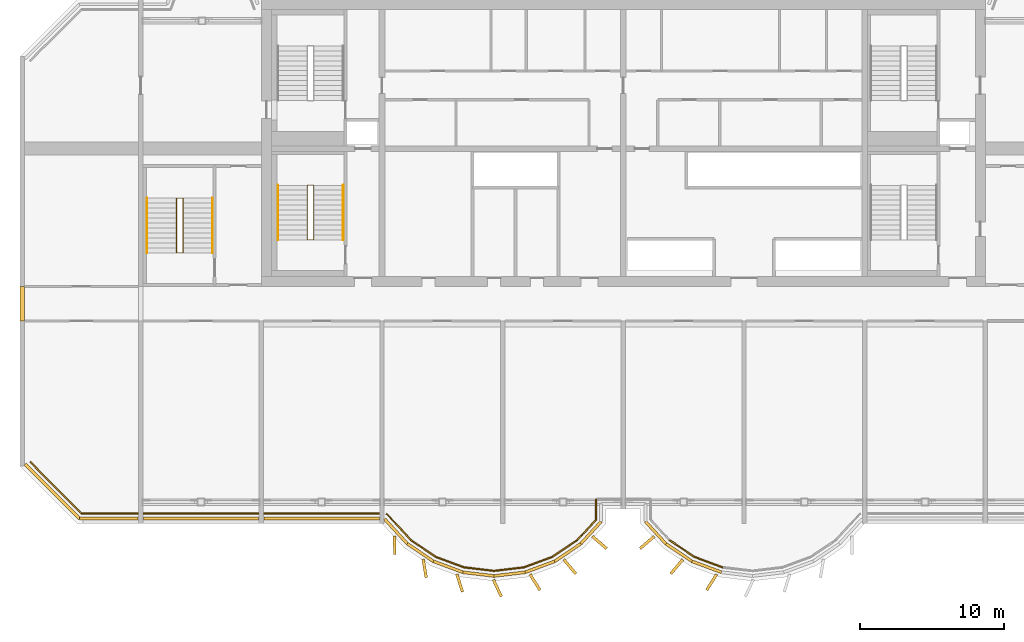
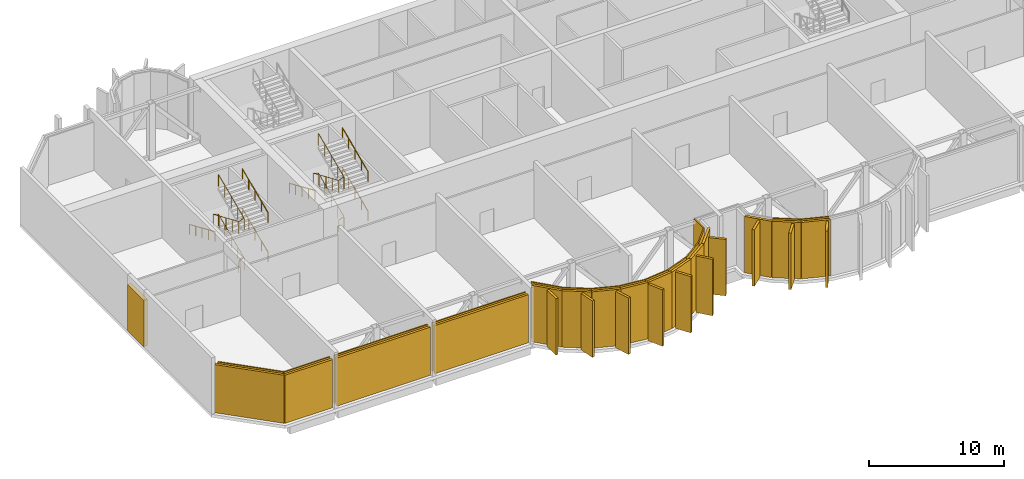
# One storey, part 12 of 15: 25 coverings, 16 shading devices, 8 railings.
"""IFC4 building model written with IfcOpenShell, lengths in metres."""

from ifc_helpers import new_model, si_unit, direction, frame, origin, origin_2d, place, context, subcontext, project, spatial, rectangle, circle, extrude, source, transform, mapped, material, layer, layer_set, material_profile, profile_set, type_object, element, save


model = new_model("IFC4")

# Units and contexts
model_context = context("Model", 3, precision=1e-05, world=origin(), true_north=direction((0.0, 1.0)))
body_context = subcontext(model_context, "Body", "Model", "MODEL_VIEW")
ifc_project = project(units=[si_unit("LENGTHUNIT", "METRE"), si_unit("AREAUNIT", "SQUARE_METRE"), si_unit("VOLUMEUNIT", "CUBIC_METRE"), si_unit("PLANEANGLEUNIT", "RADIAN"), si_unit("MASSUNIT", "GRAM", prefix="KILO")], contexts=[model_context])

# Site, building, storey
site_placement = place(None, origin())
site = spatial("IfcSite", under=ifc_project, at=site_placement, CompositionType="ELEMENT")
building_placement = place(site_placement, origin())
building = spatial("IfcBuilding", under=site, at=building_placement, Name="Vanashikhar Sky Hotel", CompositionType="ELEMENT")
storey_placement = place(building_placement, frame((0.0, 0.0, 201.0)))
storey = spatial("IfcBuildingStorey", under=building, at=storey_placement, Name="L49", CompositionType="ELEMENT", Elevation=201.0)

# Shading devices
ifc_material_1 = material(Name="Aluminium", Category="aluminium")
ifc_layer_1 = layer(ifc_material_1, 0.199951171875)
ifc_layer_set_1 = layer_set([ifc_layer_1], Name="Aluminium louvre band")
shading_device_type = type_object("IfcShadingDeviceType", Name="Aluminium louvre band", PredefinedType="USERDEFINED", material=ifc_layer_set_1)
shared_shape_1 = source(origin(), body_context, "Body", "SweptSolid", [
    extrude(rectangle(XDim=2.1875, YDim=0.199951171875, at=origin_2d()), origin(), (0.0, 0.0, 1.0), 5.1201171875),
])
for number, where, z_axis, x_axis, name in (
    (1, (36.2705078125, 3.482421875, 0.0), (0.0, 0.0, 1.0), (0.829583722896, -0.558382348132, 0.0), "Louvre band"),
    (2, (38.203125, 2.4912109375, 0.0), (0.0, 0.0, 1.0), (0.937537254303, -0.347884890149, 0.0), "Louvre band"),
    (3, (44.5966796875, 2.4912109375, 0.0), (0.0, 0.0, 1.0), (0.937537254303, 0.347884890149, 0.0), "Louvre band"),
    (4, (46.529541015625, 3.482421875, 0.0), (0.0, 0.0, 1.0), (0.829583722896, 0.558382348132, 0.0), "Louvre band"),
    (5, (54.2705078125, 3.482421875, 0.0), (0.0, 0.0, 1.0), (0.829583722896, -0.558382348132, 0.0), "Louvre band"),
    (6, (56.203125, 2.4912109375, 0.0), (0.0, 0.0, 1.0), (0.937537254303, -0.347884890149, 0.0), "Louvre band"),
):
    element("IfcShadingDevice", number, at=place(storey_placement, frame(where, z_axis=z_axis, x_axis=x_axis)), inside=storey, type_object=shading_device_type, Name=name, ObjectType="LOUVRE", PredefinedType="USERDEFINED", context=body_context, shape_type="MappedRepresentation", body=[
        mapped(shared_shape_1, transform((0.0, 0.0, 0.0), scale=1.0)),
    ])
shared_shape_2 = source(origin(), body_context, "Body", "SweptSolid", [
    extrude(rectangle(XDim=2.1865234375, YDim=0.199951171875, at=origin_2d()), origin(), (0.0, 0.0, 1.0), 5.1201171875),
])
for number, where, z_axis, x_axis, name in (
    (7, (40.314453125, 1.9814453125, 0.0), (0.0, 0.0, 1.0), (0.993008838731, -0.118040019495, 0.0), "Louvre band"),
    (8, (42.485595703125, 1.9814453125, 0.0), (0.0, 0.0, 1.0), (0.993008838731, 0.118040019495, 0.0), "Louvre band"),
):
    element("IfcShadingDevice", number, at=place(storey_placement, frame(where, z_axis=z_axis, x_axis=x_axis)), inside=storey, type_object=shading_device_type, Name=name, ObjectType="LOUVRE", PredefinedType="USERDEFINED", context=body_context, shape_type="MappedRepresentation", body=[
        mapped(shared_shape_2, transform((0.0, 0.0, 0.0), scale=1.0)),
    ])
shared_shape_3 = source(origin(), body_context, "Body", "SweptSolid", [
    extrude(rectangle(XDim=2.09228515625, YDim=0.199951171875, at=origin_2d()), origin(), (0.0, 0.0, 1.0), 5.1201171875),
])
for number, where, z_axis, x_axis, name in (
    (9, (48.1435546875, 4.864501953125, 0.0), (0.0, 0.0, 1.0), (0.675384294604, 0.737465968437, 0.0), "Louvre band"),
    (10, (52.656494140625, 4.864501953125, 0.0), (0.0, 0.0, 1.0), (0.675384294604, -0.737465968437, 0.0), "Louvre band"),
):
    element("IfcShadingDevice", number, at=place(storey_placement, frame(where, z_axis=z_axis, x_axis=x_axis)), inside=storey, type_object=shading_device_type, Name=name, ObjectType="LOUVRE", PredefinedType="USERDEFINED", context=body_context, shape_type="MappedRepresentation", body=[
        mapped(shared_shape_3, transform((0.0, 0.0, 0.0), scale=1.0)),
    ])

# Coverings
ifc_material_2 = material(Name="Concrete M40", Category="concrete")
ifc_layer_2 = layer(ifc_material_2, 0.10009765625)
ifc_layer_set_2 = layer_set([ifc_layer_2], Name="Plant floor cladding panel")
covering_type_1 = type_object("IfcCoveringType", Name="Plant floor cladding panel", PredefinedType="CLADDING", material=ifc_layer_set_2)
shared_shape_4 = source(origin(), body_context, "Body", "SweptSolid", [
    extrude(rectangle(XDim=2.49462890625, YDim=0.10009765625, at=origin_2d()), origin(), (0.0, 0.0, 1.0), 5.1201171875),
])
covering_1_placement = place(storey_placement, frame((34.75048828125, 5.280029296875, 0.0), z_axis=(0.0, 0.0, 1.0), x_axis=(0.675384294604, -0.737465968437, 0.0)))
element("IfcCovering", 11, at=covering_1_placement, inside=storey, type_object=covering_type_1, Name="Plant floor cladding panel", PredefinedType="CLADDING", context=body_context, shape_type="MappedRepresentation", body=[
    mapped(shared_shape_4, transform((0.0, 0.0, 0.0), scale=1.0)),
])
shared_shape_5 = source(origin(), body_context, "Body", "SweptSolid", [
    extrude(rectangle(XDim=2.104248046875, YDim=0.10009765625, at=origin_2d()), origin(), (0.0, 0.0, 1.0), 5.1201171875),
])
for number, where, z_axis, x_axis, name in (
    (12, (36.4658203125, 3.772705078125, 0.0), (0.0, 0.0, 1.0), (0.829603213612, -0.558353389857, 0.0), "Plant floor cladding panel"),
    (13, (46.334228515625, 3.772705078125, 0.0), (0.0, 0.0, 1.0), (0.829603213612, 0.558353389857, 0.0), "Plant floor cladding panel"),
    (14, (54.4658203125, 3.772705078125, 0.0), (0.0, 0.0, 1.0), (0.829603213612, -0.558353389857, 0.0), "Plant floor cladding panel"),
):
    element("IfcCovering", number, at=place(storey_placement, frame(where, z_axis=z_axis, x_axis=x_axis)), inside=storey, type_object=covering_type_1, Name=name, PredefinedType="CLADDING", context=body_context, shape_type="MappedRepresentation", body=[
        mapped(shared_shape_5, transform((0.0, 0.0, 0.0), scale=1.0)),
    ])
shared_shape_6 = source(origin(), body_context, "Body", "SweptSolid", [
    extrude(rectangle(XDim=2.10400390625, YDim=0.10009765625, at=origin_2d()), origin(), (0.0, 0.0, 1.0), 5.1201171875),
])
for number, where, z_axis, x_axis, name in (
    (15, (38.3251953125, 2.8193359375, 0.0), (0.0, 0.0, 1.0), (0.937537254303, -0.347884890149, 0.0), "Plant floor cladding panel"),
    (16, (44.474853515625, 2.8193359375, 0.0), (0.0, 0.0, 1.0), (0.937537254303, 0.347884890149, 0.0), "Plant floor cladding panel"),
    (17, (56.3251953125, 2.8193359375, 0.0), (0.0, 0.0, 1.0), (0.937537254303, -0.347884890149, 0.0), "Plant floor cladding panel"),
):
    element("IfcCovering", number, at=place(storey_placement, frame(where, z_axis=z_axis, x_axis=x_axis)), inside=storey, type_object=covering_type_1, Name=name, PredefinedType="CLADDING", context=body_context, shape_type="MappedRepresentation", body=[
        mapped(shared_shape_6, transform((0.0, 0.0, 0.0), scale=1.0)),
    ])
shared_shape_7 = source(origin(), body_context, "Body", "SweptSolid", [
    extrude(rectangle(XDim=2.103271484375, YDim=0.10009765625, at=origin_2d()), origin(), (0.0, 0.0, 1.0), 5.1201171875),
])
for number, where, z_axis, x_axis, name in (
    (18, (40.355712890625, 2.3291015625, 0.0), (0.0, 0.0, 1.0), (0.993002656809, -0.118092013154, 0.0), "Plant floor cladding panel"),
    (19, (42.4443359375, 2.3291015625, 0.0), (0.0, 0.0, 1.0), (0.993002656809, 0.118092013154, 0.0), "Plant floor cladding panel"),
):
    element("IfcCovering", number, at=place(storey_placement, frame(where, z_axis=z_axis, x_axis=x_axis)), inside=storey, type_object=covering_type_1, Name=name, PredefinedType="CLADDING", context=body_context, shape_type="MappedRepresentation", body=[
        mapped(shared_shape_7, transform((0.0, 0.0, 0.0), scale=1.0)),
    ])
shared_shape_8 = source(origin(), body_context, "Body", "SweptSolid", [
    extrude(rectangle(XDim=1.91455078125, YDim=0.10009765625, at=origin_2d()), origin(), (0.0, 0.0, 1.0), 5.1201171875),
])
covering_2_placement = place(storey_placement, frame((47.853515625, 5.066162109375, 0.0), z_axis=(0.0, 0.0, 1.0), x_axis=(0.675371423292, 0.737477756004, 0.0)))
element("IfcCovering", 20, at=covering_2_placement, inside=storey, type_object=covering_type_1, Name="Plant floor cladding panel", PredefinedType="CLADDING", context=body_context, shape_type="MappedRepresentation", body=[
    mapped(shared_shape_8, transform((0.0, 0.0, 0.0), scale=1.0)),
])
shared_shape_9 = source(origin(), body_context, "Body", "SweptSolid", [
    extrude(rectangle(XDim=1.427978515625, YDim=0.10009765625, at=origin_2d()), origin(), (0.0, 0.0, 1.0), 5.1201171875),
])
covering_3_placement = place(storey_placement, frame((48.5, 6.486083984375, 0.0), z_axis=(0.0, 0.0, 1.0), x_axis=(0.0, 1.0, 0.0)))
element("IfcCovering", 21, at=covering_3_placement, inside=storey, type_object=covering_type_1, Name="Plant floor cladding panel", PredefinedType="CLADDING", context=body_context, shape_type="MappedRepresentation", body=[
    mapped(shared_shape_9, transform((0.0, 0.0, 0.0), scale=1.0)),
])
shared_shape_10 = source(origin(), body_context, "Body", "SweptSolid", [
    extrude(rectangle(XDim=5.076904296875, YDim=0.10009765625, at=origin_2d()), origin(), (0.0, 0.0, 1.0), 4.3701171875),
])
covering_4_placement = place(storey_placement, frame((10.89501953125, 7.994873046875, 0.0), z_axis=(0.0, 0.0, 1.0), x_axis=(0.707106781187, -0.707106781187, 0.0)))
element("IfcCovering", 22, at=covering_4_placement, inside=storey, type_object=covering_type_1, Name="Plant floor cladding panel", PredefinedType="CLADDING", context=body_context, shape_type="MappedRepresentation", body=[
    mapped(shared_shape_10, transform((0.0, 0.0, 0.0), scale=1.0)),
])
ifc_material_3 = material(Name="Concrete M60 dark", Category="concrete")
ifc_material_profile = material_profile(ifc_material_3, rectangle(XDim=1.300048828125, YDim=0.199951171875, at=origin_2d()))
ifc_profile_set = profile_set([ifc_material_profile], Name="Fin 1300 x 200")
covering_type_2 = type_object("IfcCoveringType", Name="Fin 1300 x 200", PredefinedType="CLADDING", material=ifc_profile_set)
shared_shape_11 = source(origin(), body_context, "Body", "SweptSolid", [
    extrude(rectangle(XDim=1.300048828125, YDim=0.199951171875, at=origin_2d()), origin(), (0.0, 0.0, 1.0), 5.1201171875),
])
for number, where, z_axis, x_axis, name in (
    (23, (34.482421875, 3.992919921875, 0.0), (0.0, 0.0, 1.0), (0.011588726826, -0.999932848451, 0.0), "Fin F1-1"),
    (24, (36.572509765625, 2.3779296875, 0.0), (0.0, 0.0, 1.0), (0.16989991575, -0.985461322746, 0.0), "Fin F1-2"),
    (25, (39.00830078125, 1.35693359375, 0.0), (0.0, 0.0, 1.0), (0.303966551867, -0.952682704444, 0.0), "Fin F1-3"),
    (26, (41.63232421875, 1.00146484375, 0.0), (0.0, 0.0, 1.0), (0.422618261741, -0.906307787037, 0.0), "Fin F1-4"),
    (27, (44.251953125, 1.416015625, 0.0), (0.0, 0.0, 1.0), (0.534411358496, -0.845224526331, 0.0), "Fin F1-5"),
    (28, (46.676025390625, 2.5, 0.0), (0.0, 0.0, 1.0), (0.645697609467, -0.763593214433, 0.0), "Fin F1-6"),
    (29, (48.7412109375, 4.1845703125, 0.0), (0.0, 0.0, 1.0), (0.758543912032, -0.65162192529, 0.0), "Fin F1-7"),
    (30, (52.058837890625, 4.1845703125, 0.0), (0.0, 0.0, 1.0), (-0.758543912032, -0.65162192529, 0.0), "Fin F2-1"),
    (31, (54.123779296875, 2.5, 0.0), (0.0, 0.0, 1.0), (-0.645697609467, -0.763593214433, 0.0), "Fin F2-2"),
    (32, (56.547119140625, 1.416015625, 0.0), (0.0, 0.0, 1.0), (-0.534411358496, -0.845224526331, 0.0), "Fin F2-3"),
):
    element("IfcCovering", number, at=place(storey_placement, frame(where, z_axis=z_axis, x_axis=x_axis)), inside=storey, type_object=covering_type_2, Name=name, PredefinedType="CLADDING", context=body_context, shape_type="MappedRepresentation", body=[
        mapped(shared_shape_11, transform((0.0, 0.0, 0.0), scale=1.0)),
    ])

# Shading devices
shared_shape_12 = source(origin(), body_context, "Body", "SweptSolid", [
    extrude(rectangle(XDim=4.074951171875, YDim=0.199951171875, at=origin_2d()), origin(), (0.0, 0.0, 1.0), 4.3701171875),
])
shading_device_1_placement = place(storey_placement, frame((14.58251953125, 5.85009765625, 0.0), z_axis=(0.0, 0.0, 1.0), x_axis=(1.0, 0.0, 0.0)))
element("IfcShadingDevice", 33, at=shading_device_1_placement, inside=storey, type_object=shading_device_type, Name="Louvre band", ObjectType="LOUVRE", PredefinedType="USERDEFINED", context=body_context, shape_type="MappedRepresentation", body=[
    mapped(shared_shape_12, transform((0.0, 0.0, 0.0), scale=1.0)),
])
shared_shape_13 = source(origin(), body_context, "Body", "SweptSolid", [
    extrude(rectangle(XDim=8.0400390625, YDim=0.199951171875, at=origin_2d()), origin(), (0.0, 0.0, 1.0), 4.3701171875),
])
for number, where, z_axis, x_axis, name in (
    (34, (21.0, 5.85009765625, 0.0), (0.0, 0.0, 1.0), (1.0, 0.0, 0.0), "Louvre band"),
    (35, (29.39990234375, 5.85009765625, 0.0), (0.0, 0.0, 1.0), (1.0, 0.0, 0.0), "Louvre band"),
):
    element("IfcShadingDevice", number, at=place(storey_placement, frame(where, z_axis=z_axis, x_axis=x_axis)), inside=storey, type_object=shading_device_type, Name=name, ObjectType="LOUVRE", PredefinedType="USERDEFINED", context=body_context, shape_type="MappedRepresentation", body=[
        mapped(shared_shape_13, transform((0.0, 0.0, 0.0), scale=1.0)),
    ])
shared_shape_14 = source(origin(), body_context, "Body", "SweptSolid", [
    extrude(rectangle(XDim=2.343994140625, YDim=0.199951171875, at=origin_2d()), origin(), (0.0, 0.0, 1.0), 5.1201171875),
])
shading_device_2_placement = place(storey_placement, frame((34.571533203125, 4.95751953125, 0.0), z_axis=(0.0, 0.0, 1.0), x_axis=(0.675358551774, -0.737489543347, 0.0)))
element("IfcShadingDevice", 36, at=shading_device_2_placement, inside=storey, type_object=shading_device_type, Name="Louvre band", ObjectType="LOUVRE", PredefinedType="USERDEFINED", context=body_context, shape_type="MappedRepresentation", body=[
    mapped(shared_shape_14, transform((0.0, 0.0, 0.0), scale=1.0)),
])
shared_shape_15 = source(origin(), body_context, "Body", "SweptSolid", [
    extrude(rectangle(XDim=5.366943359375, YDim=0.199951171875, at=origin_2d()), origin(), (0.0, 0.0, 1.0), 4.3701171875),
])
shading_device_3_placement = place(storey_placement, frame((10.6474609375, 7.74755859375, 0.0), z_axis=(0.0, 0.0, 1.0), x_axis=(0.707106781187, -0.707106781187, 0.0)))
element("IfcShadingDevice", 37, at=shading_device_3_placement, inside=storey, type_object=shading_device_type, Name="Louvre band", ObjectType="LOUVRE", PredefinedType="USERDEFINED", context=body_context, shape_type="MappedRepresentation", body=[
    mapped(shared_shape_15, transform((0.0, 0.0, 0.0), scale=1.0)),
])

# Coverings
shared_shape_16 = source(origin(), body_context, "Body", "SweptSolid", [
    extrude(rectangle(XDim=3.93017578125, YDim=0.10009765625, at=origin_2d()), origin(), (0.0, 0.0, 1.0), 4.3701171875),
])
covering_5_placement = place(storey_placement, frame((14.65478515625, 6.199951171875, 0.0), z_axis=(0.0, 0.0, 1.0), x_axis=(1.0, 0.0, 0.0)))
element("IfcCovering", 38, at=covering_5_placement, inside=storey, type_object=covering_type_1, Name="Plant floor cladding panel", PredefinedType="CLADDING", context=body_context, shape_type="MappedRepresentation", body=[
    mapped(shared_shape_16, transform((0.0, 0.0, 0.0), scale=1.0)),
])
shared_shape_17 = source(origin(), body_context, "Body", "SweptSolid", [
    extrude(rectangle(XDim=8.0400390625, YDim=0.10009765625, at=origin_2d()), origin(), (0.0, 0.0, 1.0), 4.3701171875),
])
for number, where, z_axis, x_axis, name in (
    (39, (21.0, 6.199951171875, 0.0), (0.0, 0.0, 1.0), (1.0, 0.0, 0.0), "Plant floor cladding panel"),
    (40, (29.39990234375, 6.199951171875, 0.0), (0.0, 0.0, 1.0), (1.0, 0.0, 0.0), "Plant floor cladding panel"),
):
    element("IfcCovering", number, at=place(storey_placement, frame(where, z_axis=z_axis, x_axis=x_axis)), inside=storey, type_object=covering_type_1, Name=name, PredefinedType="CLADDING", context=body_context, shape_type="MappedRepresentation", body=[
        mapped(shared_shape_17, transform((0.0, 0.0, 0.0), scale=1.0)),
    ])

# Shading device
shared_shape_18 = source(origin(), body_context, "Body", "SweptSolid", [
    extrude(rectangle(XDim=0.300048828125, YDim=2.39990234375, at=origin_2d()), origin(), (0.0, 0.0, 1.0), 4.219970703125),
])
shading_device_4_placement = place(storey_placement, frame((8.550048828125, 20.800048828125, 0.0), z_axis=(0.0, 0.0, 1.0), x_axis=(1.0, 0.0, 0.0)))
element("IfcShadingDevice", 41, at=shading_device_4_placement, inside=storey, type_object=shading_device_type, Name="Louvre band", ObjectType="LOUVRE", PredefinedType="USERDEFINED", context=body_context, shape_type="MappedRepresentation", body=[
    mapped(shared_shape_18, transform((0.0, 0.0, 0.0), scale=1.0)),
])

# Railings
ifc_material_4 = material(Name="Steel S355", Category="steel")
railing_type_1 = type_object("IfcRailingType", Name="Stair handrail 900", PredefinedType="HANDRAIL", material=ifc_material_4)
shared_shape_19 = source(origin(), body_context, "Body", "SweptSolid", [
    extrude(circle(Radius=0.02392578125, at=origin_2d()), frame((0.0, 0.0, 0.8759765625), z_axis=(0.0, -0.917250781605, 0.398310185215), x_axis=(1.0, 0.0, 0.0)), (0.0, 0.0, 1.0), 4.142822265625),
    extrude(circle(Radius=0.02099609375, at=origin_2d()), origin(), (0.0, 0.0, 1.0), 0.851806640625),
    extrude(circle(Radius=0.02099609375, at=origin_2d()), frame((0.0, -0.949951171875, 0.41259765625)), (0.0, 0.0, 1.0), 0.851806640625),
    extrude(circle(Radius=0.02099609375, at=origin_2d()), frame((0.0, -1.89990234375, 0.8251953125)), (0.0, 0.0, 1.0), 0.851806640625),
    extrude(circle(Radius=0.02099609375, at=origin_2d()), frame((0.0, -2.85009765625, 1.237548828125)), (0.0, 0.0, 1.0), 0.851806640625),
    extrude(circle(Radius=0.02099609375, at=origin_2d()), frame((0.0, -3.800048828125, 1.650146484375)), (0.0, 0.0, 1.0), 0.851806640625),
])
railing_1_placement = place(storey_placement, frame((26.35009765625, 29.050048828125, 1.949951171875)))
element("IfcRailing", 42, at=railing_1_placement, inside=storey, type_object=railing_type_1, Name="Exit stair 1 handrail", PredefinedType="HANDRAIL", context=body_context, shape_type="MappedRepresentation", body=[
    mapped(shared_shape_19, transform((0.0, 0.0, 0.0), scale=1.0)),
])
shared_shape_20 = source(origin(), body_context, "Body", "SweptSolid", [
    extrude(circle(Radius=0.02392578125, at=origin_2d()), frame((0.0, 0.0, 0.8759765625), z_axis=(0.0, 0.917250781605, 0.398310185215), x_axis=(-1.0, 0.0, 0.0)), (0.0, 0.0, 1.0), 4.142822265625),
    extrude(circle(Radius=0.02099609375, at=origin_2d()), origin(), (0.0, 0.0, 1.0), 0.851806640625),
    extrude(circle(Radius=0.02099609375, at=origin_2d()), frame((0.0, 0.949951171875, 0.41259765625)), (0.0, 0.0, 1.0), 0.851806640625),
    extrude(circle(Radius=0.02099609375, at=origin_2d()), frame((0.0, 1.89990234375, 0.8251953125)), (0.0, 0.0, 1.0), 0.851806640625),
    extrude(circle(Radius=0.02099609375, at=origin_2d()), frame((0.0, 2.85009765625, 1.237548828125)), (0.0, 0.0, 1.0), 0.851806640625),
    extrude(circle(Radius=0.02099609375, at=origin_2d()), frame((0.0, 3.800048828125, 1.650146484375)), (0.0, 0.0, 1.0), 0.851806640625),
])
railing_2_placement = place(storey_placement, frame((30.89990234375, 25.25, 0.14990234375)))
element("IfcRailing", 43, at=railing_2_placement, inside=storey, type_object=railing_type_1, Name="Exit stair 1 handrail", PredefinedType="HANDRAIL", context=body_context, shape_type="MappedRepresentation", body=[
    mapped(shared_shape_20, transform((0.0, 0.0, 0.0), scale=1.0)),
])
railing_type_2 = type_object("IfcRailingType", Name="Stair guard 1100", PredefinedType="GUARDRAIL", material=ifc_material_4)
shared_shape_21 = source(origin(), body_context, "Body", "SweptSolid", [
    extrude(circle(Radius=0.02392578125, at=origin_2d()), frame((0.0, 0.0, 1.076171875), z_axis=(0.948786153043, 0.0, 0.315919033605), x_axis=(0.0, 1.0, 0.0)), (0.0, 0.0, 1.0), 0.474609375),
    extrude(circle(Radius=0.02392578125, at=origin_2d()), frame((0.4501953125, 0.0, 1.22607421875), z_axis=(0.0, 0.917250781605, 0.398310185215), x_axis=(-1.0, 0.0, 0.0)), (0.0, 0.0, 1.0), 4.142822265625),
    extrude(circle(Radius=0.02392578125, at=origin_2d()), frame((0.4501953125, 3.800048828125, 2.8759765625), z_axis=(-0.948786153043, 0.0, 0.315919033605), x_axis=(0.0, -1.0, 0.0)), (0.0, 0.0, 1.0), 0.474609375),
    extrude(circle(Radius=0.02392578125, at=origin_2d()), frame((0.0, 3.800048828125, 3.02587890625), z_axis=(0.0, -0.917250781605, 0.398310185215), x_axis=(1.0, 0.0, 0.0)), (0.0, 0.0, 1.0), 4.142822265625),
    extrude(circle(Radius=0.02392578125, at=origin_2d()), frame((0.0, 0.0, 4.67626953125), z_axis=(0.948786153043, 0.0, 0.315919033605), x_axis=(0.0, 1.0, 0.0)), (0.0, 0.0, 1.0), 0.474609375),
    extrude(circle(Radius=0.02392578125, at=origin_2d()), frame((0.4501953125, 0.0, 4.826171875), z_axis=(0.0, 0.91727231099, 0.398260602484), x_axis=(-1.0, 0.0, 0.0)), (0.0, 0.0, 1.0), 4.142822265625),
    extrude(circle(Radius=0.02099609375, at=origin_2d()), origin(), (0.0, 0.0, 1.0), 1.052001953125),
    extrude(circle(Radius=0.02099609375, at=origin_2d()), frame((0.4501953125, 0.0, 0.14990234375)), (0.0, 0.0, 1.0), 1.052001953125),
    extrude(circle(Radius=0.02099609375, at=origin_2d()), frame((0.4501953125, 0.949951171875, 0.5625)), (0.0, 0.0, 1.0), 1.052001953125),
    extrude(circle(Radius=0.02099609375, at=origin_2d()), frame((0.4501953125, 1.89990234375, 0.97509765625)), (0.0, 0.0, 1.0), 1.052001953125),
    extrude(circle(Radius=0.02099609375, at=origin_2d()), frame((0.4501953125, 2.85009765625, 1.387451171875)), (0.0, 0.0, 1.0), 1.052001953125),
    extrude(circle(Radius=0.02099609375, at=origin_2d()), frame((0.4501953125, 3.800048828125, 1.800048828125)), (0.0, 0.0, 1.0), 1.052001953125),
    extrude(circle(Radius=0.02099609375, at=origin_2d()), frame((0.0, 3.800048828125, 1.949951171875)), (0.0, 0.0, 1.0), 1.052001953125),
    extrude(circle(Radius=0.02099609375, at=origin_2d()), frame((0.0, 2.85009765625, 2.362548828125)), (0.0, 0.0, 1.0), 1.052001953125),
    extrude(circle(Radius=0.02099609375, at=origin_2d()), frame((0.0, 1.89990234375, 2.77490234375)), (0.0, 0.0, 1.0), 1.052001953125),
    extrude(circle(Radius=0.02099609375, at=origin_2d()), frame((0.0, 0.949951171875, 3.1875)), (0.0, 0.0, 1.0), 1.052001953125),
    extrude(circle(Radius=0.02099609375, at=origin_2d()), frame((0.0, 0.0, 3.60009765625)), (0.0, 0.0, 1.0), 1.052001953125),
    extrude(circle(Radius=0.02099609375, at=origin_2d()), frame((0.4501953125, 0.0, 3.75)), (0.0, 0.0, 1.0), 1.052001953125),
    extrude(circle(Radius=0.02099609375, at=origin_2d()), frame((0.4501953125, 0.949951171875, 4.16259765625)), (0.0, 0.0, 1.0), 1.052001953125),
    extrude(circle(Radius=0.02099609375, at=origin_2d()), frame((0.4501953125, 1.89990234375, 4.574951171875)), (0.0, 0.0, 1.0), 1.052001953125),
    extrude(circle(Radius=0.02099609375, at=origin_2d()), frame((0.4501953125, 2.85009765625, 4.9873046875)), (0.0, 0.0, 1.0), 1.052001953125),
    extrude(circle(Radius=0.02099609375, at=origin_2d()), frame((0.4501953125, 3.800048828125, 5.39990234375)), (0.0, 0.0, 1.0), 1.052001953125),
])
railing_3_placement = place(storey_placement, frame((28.39990234375, 25.25, 0.0)))
element("IfcRailing", 44, at=railing_3_placement, inside=storey, type_object=railing_type_2, Name="Exit stair 1 guard", PredefinedType="GUARDRAIL", context=body_context, shape_type="MappedRepresentation", body=[
    mapped(shared_shape_21, transform((0.0, 0.0, 0.0), scale=1.0)),
])
shared_shape_22 = source(origin(), body_context, "Body", "SweptSolid", [
    extrude(circle(Radius=0.02392578125, at=origin_2d()), frame((0.0, 0.0, 0.8759765625), z_axis=(0.0, 0.91727231099, 0.398260602484), x_axis=(-1.0, 0.0, 0.0)), (0.0, 0.0, 1.0), 4.142822265625),
    extrude(circle(Radius=0.02099609375, at=origin_2d()), origin(), (0.0, 0.0, 1.0), 0.851806640625),
    extrude(circle(Radius=0.02099609375, at=origin_2d()), frame((0.0, 0.949951171875, 0.41259765625)), (0.0, 0.0, 1.0), 0.851806640625),
    extrude(circle(Radius=0.02099609375, at=origin_2d()), frame((0.0, 1.89990234375, 0.824951171875)), (0.0, 0.0, 1.0), 0.851806640625),
    extrude(circle(Radius=0.02099609375, at=origin_2d()), frame((0.0, 2.85009765625, 1.2373046875)), (0.0, 0.0, 1.0), 0.851806640625),
    extrude(circle(Radius=0.02099609375, at=origin_2d()), frame((0.0, 3.800048828125, 1.64990234375)), (0.0, 0.0, 1.0), 0.851806640625),
])
railing_4_placement = place(storey_placement, frame((30.89990234375, 25.25, 3.75)))
element("IfcRailing", 45, at=railing_4_placement, inside=storey, type_object=railing_type_1, Name="Exit stair 1 handrail", PredefinedType="HANDRAIL", context=body_context, shape_type="MappedRepresentation", body=[
    mapped(shared_shape_22, transform((0.0, 0.0, 0.0), scale=1.0)),
])
shared_shape_23 = source(origin(), body_context, "Body", "SweptSolid", [
    extrude(circle(Radius=0.02392578125, at=origin_2d()), frame((0.0, 0.0, 0.8759765625), z_axis=(0.0, -0.917241431489, 0.398331716489), x_axis=(1.0, 0.0, 0.0)), (0.0, 0.0, 1.0), 4.142578125),
    extrude(circle(Radius=0.02099609375, at=origin_2d()), origin(), (0.0, 0.0, 1.0), 0.851806640625),
    extrude(circle(Radius=0.02099609375, at=origin_2d()), frame((0.0, -0.949951171875, 0.41259765625)), (0.0, 0.0, 1.0), 0.851806640625),
    extrude(circle(Radius=0.02099609375, at=origin_2d()), frame((0.0, -1.89990234375, 0.8251953125)), (0.0, 0.0, 1.0), 0.851806640625),
    extrude(circle(Radius=0.02099609375, at=origin_2d()), frame((0.0, -2.849853515625, 1.237548828125)), (0.0, 0.0, 1.0), 0.851806640625),
    extrude(circle(Radius=0.02099609375, at=origin_2d()), frame((0.0, -3.7998046875, 1.650146484375)), (0.0, 0.0, 1.0), 0.851806640625),
])
railing_5_placement = place(storey_placement, frame((17.25, 28.14990234375, 1.949951171875)))
element("IfcRailing", 46, at=railing_5_placement, inside=storey, type_object=railing_type_1, Name="Exit stair 3 handrail", PredefinedType="HANDRAIL", context=body_context, shape_type="MappedRepresentation", body=[
    mapped(shared_shape_23, transform((0.0, 0.0, 0.0), scale=1.0)),
])
shared_shape_24 = source(origin(), body_context, "Body", "SweptSolid", [
    extrude(circle(Radius=0.02392578125, at=origin_2d()), frame((0.0, 0.0, 0.8759765625), z_axis=(0.0, 0.917241431489, 0.398331716489), x_axis=(-1.0, 0.0, 0.0)), (0.0, 0.0, 1.0), 4.142578125),
    extrude(circle(Radius=0.02099609375, at=origin_2d()), origin(), (0.0, 0.0, 1.0), 0.851806640625),
    extrude(circle(Radius=0.02099609375, at=origin_2d()), frame((0.0, 0.949951171875, 0.41259765625)), (0.0, 0.0, 1.0), 0.851806640625),
    extrude(circle(Radius=0.02099609375, at=origin_2d()), frame((0.0, 1.89990234375, 0.8251953125)), (0.0, 0.0, 1.0), 0.851806640625),
    extrude(circle(Radius=0.02099609375, at=origin_2d()), frame((0.0, 2.849853515625, 1.237548828125)), (0.0, 0.0, 1.0), 0.851806640625),
    extrude(circle(Radius=0.02099609375, at=origin_2d()), frame((0.0, 3.7998046875, 1.650146484375)), (0.0, 0.0, 1.0), 0.851806640625),
])
railing_6_placement = place(storey_placement, frame((21.800048828125, 24.35009765625, 0.14990234375)))
element("IfcRailing", 47, at=railing_6_placement, inside=storey, type_object=railing_type_1, Name="Exit stair 3 handrail", PredefinedType="HANDRAIL", context=body_context, shape_type="MappedRepresentation", body=[
    mapped(shared_shape_24, transform((0.0, 0.0, 0.0), scale=1.0)),
])
shared_shape_25 = source(origin(), body_context, "Body", "SweptSolid", [
    extrude(circle(Radius=0.02392578125, at=origin_2d()), frame((0.0, 0.0, 1.076171875), z_axis=(0.948734763221, 0.0, 0.316073328604), x_axis=(0.0, 1.0, 0.0)), (0.0, 0.0, 1.0), 0.474365234375),
    extrude(circle(Radius=0.02392578125, at=origin_2d()), frame((0.449951171875, 0.0, 1.22607421875), z_axis=(0.0, 0.917241431489, 0.398331716489), x_axis=(-1.0, 0.0, 0.0)), (0.0, 0.0, 1.0), 4.142578125),
    extrude(circle(Radius=0.02392578125, at=origin_2d()), frame((0.449951171875, 3.7998046875, 2.8759765625), z_axis=(-0.948734763221, 0.0, 0.316073328604), x_axis=(0.0, -1.0, 0.0)), (0.0, 0.0, 1.0), 0.474365234375),
    extrude(circle(Radius=0.02392578125, at=origin_2d()), frame((0.0, 3.7998046875, 3.02587890625), z_axis=(0.0, -0.917241431489, 0.398331716489), x_axis=(1.0, 0.0, 0.0)), (0.0, 0.0, 1.0), 4.142578125),
    extrude(circle(Radius=0.02392578125, at=origin_2d()), frame((0.0, 0.0, 4.67626953125), z_axis=(0.948734763221, 0.0, 0.316073328604), x_axis=(0.0, 1.0, 0.0)), (0.0, 0.0, 1.0), 0.474365234375),
    extrude(circle(Radius=0.02392578125, at=origin_2d()), frame((0.449951171875, 0.0, 4.826171875), z_axis=(0.0, 0.917262962982, 0.398282132089), x_axis=(-1.0, 0.0, 0.0)), (0.0, 0.0, 1.0), 4.142578125),
    extrude(circle(Radius=0.02099609375, at=origin_2d()), origin(), (0.0, 0.0, 1.0), 1.052001953125),
    extrude(circle(Radius=0.02099609375, at=origin_2d()), frame((0.449951171875, 0.0, 0.14990234375)), (0.0, 0.0, 1.0), 1.052001953125),
    extrude(circle(Radius=0.02099609375, at=origin_2d()), frame((0.449951171875, 0.949951171875, 0.5625)), (0.0, 0.0, 1.0), 1.052001953125),
    extrude(circle(Radius=0.02099609375, at=origin_2d()), frame((0.449951171875, 1.89990234375, 0.97509765625)), (0.0, 0.0, 1.0), 1.052001953125),
    extrude(circle(Radius=0.02099609375, at=origin_2d()), frame((0.449951171875, 2.849853515625, 1.387451171875)), (0.0, 0.0, 1.0), 1.052001953125),
    extrude(circle(Radius=0.02099609375, at=origin_2d()), frame((0.449951171875, 3.7998046875, 1.800048828125)), (0.0, 0.0, 1.0), 1.052001953125),
    extrude(circle(Radius=0.02099609375, at=origin_2d()), frame((0.0, 3.7998046875, 1.949951171875)), (0.0, 0.0, 1.0), 1.052001953125),
    extrude(circle(Radius=0.02099609375, at=origin_2d()), frame((0.0, 2.849853515625, 2.362548828125)), (0.0, 0.0, 1.0), 1.052001953125),
    extrude(circle(Radius=0.02099609375, at=origin_2d()), frame((0.0, 1.89990234375, 2.77490234375)), (0.0, 0.0, 1.0), 1.052001953125),
    extrude(circle(Radius=0.02099609375, at=origin_2d()), frame((0.0, 0.949951171875, 3.1875)), (0.0, 0.0, 1.0), 1.052001953125),
    extrude(circle(Radius=0.02099609375, at=origin_2d()), frame((0.0, 0.0, 3.60009765625)), (0.0, 0.0, 1.0), 1.052001953125),
    extrude(circle(Radius=0.02099609375, at=origin_2d()), frame((0.449951171875, 0.0, 3.75)), (0.0, 0.0, 1.0), 1.052001953125),
    extrude(circle(Radius=0.02099609375, at=origin_2d()), frame((0.449951171875, 0.949951171875, 4.16259765625)), (0.0, 0.0, 1.0), 1.052001953125),
    extrude(circle(Radius=0.02099609375, at=origin_2d()), frame((0.449951171875, 1.89990234375, 4.574951171875)), (0.0, 0.0, 1.0), 1.052001953125),
    extrude(circle(Radius=0.02099609375, at=origin_2d()), frame((0.449951171875, 2.849853515625, 4.9873046875)), (0.0, 0.0, 1.0), 1.052001953125),
    extrude(circle(Radius=0.02099609375, at=origin_2d()), frame((0.449951171875, 3.7998046875, 5.39990234375)), (0.0, 0.0, 1.0), 1.052001953125),
])
railing_7_placement = place(storey_placement, frame((19.300048828125, 24.35009765625, 0.0)))
element("IfcRailing", 48, at=railing_7_placement, inside=storey, type_object=railing_type_2, Name="Exit stair 3 guard", PredefinedType="GUARDRAIL", context=body_context, shape_type="MappedRepresentation", body=[
    mapped(shared_shape_25, transform((0.0, 0.0, 0.0), scale=1.0)),
])
shared_shape_26 = source(origin(), body_context, "Body", "SweptSolid", [
    extrude(circle(Radius=0.02392578125, at=origin_2d()), frame((0.0, 0.0, 0.8759765625), z_axis=(0.0, 0.917262962982, 0.398282132089), x_axis=(-1.0, 0.0, 0.0)), (0.0, 0.0, 1.0), 4.142578125),
    extrude(circle(Radius=0.02099609375, at=origin_2d()), origin(), (0.0, 0.0, 1.0), 0.851806640625),
    extrude(circle(Radius=0.02099609375, at=origin_2d()), frame((0.0, 0.949951171875, 0.41259765625)), (0.0, 0.0, 1.0), 0.851806640625),
    extrude(circle(Radius=0.02099609375, at=origin_2d()), frame((0.0, 1.89990234375, 0.824951171875)), (0.0, 0.0, 1.0), 0.851806640625),
    extrude(circle(Radius=0.02099609375, at=origin_2d()), frame((0.0, 2.849853515625, 1.2373046875)), (0.0, 0.0, 1.0), 0.851806640625),
    extrude(circle(Radius=0.02099609375, at=origin_2d()), frame((0.0, 3.7998046875, 1.64990234375)), (0.0, 0.0, 1.0), 0.851806640625),
])
railing_8_placement = place(storey_placement, frame((21.800048828125, 24.35009765625, 3.75)))
element("IfcRailing", 49, at=railing_8_placement, inside=storey, type_object=railing_type_1, Name="Exit stair 3 handrail", PredefinedType="HANDRAIL", context=body_context, shape_type="MappedRepresentation", body=[
    mapped(shared_shape_26, transform((0.0, 0.0, 0.0), scale=1.0)),
])

save(model, "model.ifc")
